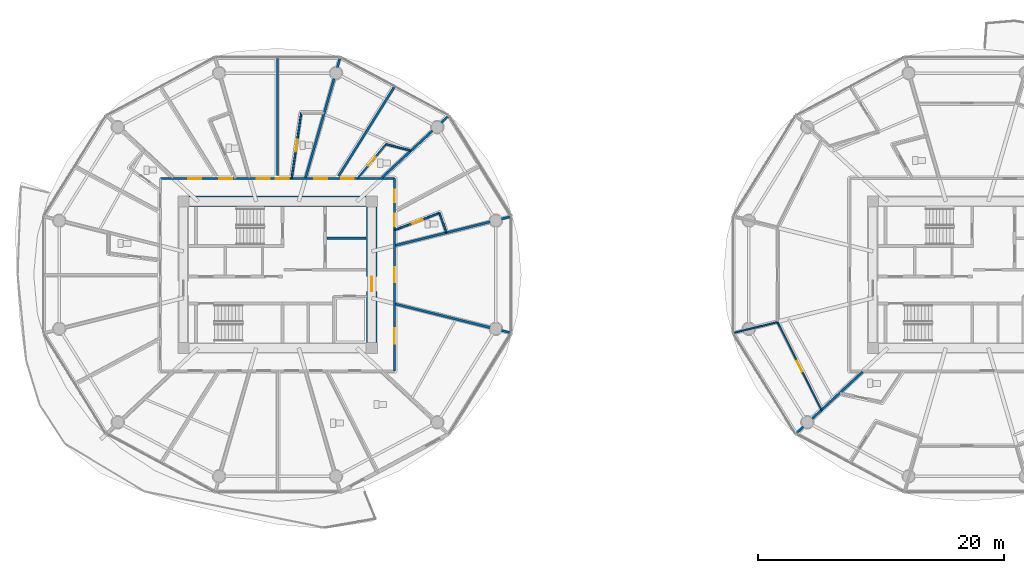
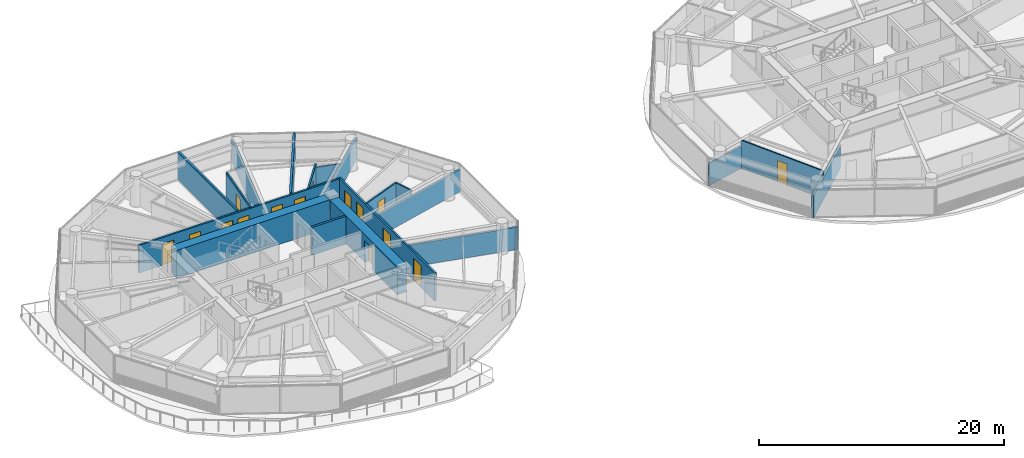
# One storey, part 17 of 31: 19 walls, 15 doors, 15 openings.
"""IFC4 building model written with IfcOpenShell, lengths in metres."""

from ifc_helpers import new_model, si_unit, direction, frame, frame_2d, origin, place, context, subcontext, project, spatial, rectangle, extrude, source, transform, mapped, material, layer, layer_set, type_object, type_shapes, element, fill, save


model = new_model("IFC4")

# Units and contexts
model_context = context("Model", 3, precision=1e-05, world=origin(), true_north=direction((0.0, 1.0)))
body_context = subcontext(model_context, "Body", "Model", "MODEL_VIEW")
ifc_project = project(units=[si_unit("LENGTHUNIT", "METRE"), si_unit("AREAUNIT", "SQUARE_METRE"), si_unit("VOLUMEUNIT", "CUBIC_METRE"), si_unit("PLANEANGLEUNIT", "RADIAN"), si_unit("MASSUNIT", "GRAM", prefix="KILO")], contexts=[model_context])

# Site, building, storey
site_placement = place(None, origin())
site = spatial("IfcSite", under=ifc_project, at=site_placement, CompositionType="ELEMENT")
building_placement = place(site_placement, origin())
building = spatial("IfcBuilding", under=site, at=building_placement, Name="Norrkilde Senior Care Towers", CompositionType="ELEMENT")
storey_placement = place(building_placement, frame((0.0, 0.0, 42.949951171875)))
storey = spatial("IfcBuildingStorey", under=building, at=storey_placement, Name="L12", CompositionType="ELEMENT", Elevation=42.949951171875)

# Wall
ifc_material_1 = material(Name="Concrete C60/75", Category="concrete")
ifc_layer_1 = layer(ifc_material_1, 0.85009765625)
ifc_layer_set_1 = layer_set([ifc_layer_1], Name="Concrete C60/75")
wall_type_1 = type_object("IfcWallType", Name="Core Shear Wall Z1 850", PredefinedType="SHEAR", material=ifc_layer_set_1)
shared_shape_1 = source(origin(), body_context, "Body", "SweptSolid", [
    extrude(rectangle(XDim=14.39990234375, YDim=0.85009765625, at=frame_2d((7.199951171875, 0.0))), origin(), (0.0, 0.0, 1.0), 2.7900390625),
])
wall_1_placement = place(storey_placement, frame((-35.199951171875, 5.949951171875, 0.0), z_axis=(0.0, 0.0, 1.0), x_axis=(1.0, 0.0, 0.0)))
element("IfcWall", 1, at=wall_1_placement, inside=storey, type_object=wall_type_1, Name="L12 Core W North Shear Wall", PredefinedType="SHEAR", context=body_context, shape_type="MappedRepresentation", body=[
    mapped(shared_shape_1, transform((0.0, 0.0, 0.0), x_axis=(1.0, 0.0, 0.0), y_axis=(0.0, 1.0, 0.0), z_axis=(0.0, 0.0, 1.0), scale=1.0)),
])

# Wall, opening, door
shared_shape_2 = source(origin(), body_context, "Body", "SweptSolid", [
    extrude(rectangle(XDim=11.0, YDim=0.85009765625, at=frame_2d((5.5, 0.0))), origin(), (0.0, 0.0, 1.0), 2.7900390625),
])
type_shapes(wall_type_1, [shared_shape_1, shared_shape_2])
wall_2_placement = place(storey_placement, frame((-20.35009765625, 5.5, 0.0), z_axis=(0.0, 0.0, 1.0), x_axis=(0.0, -1.0, 0.0)))
wall_2 = element("IfcWall", 2, at=wall_2_placement, inside=storey, type_object=wall_type_1, Name="L12 Core W East Shear Wall", PredefinedType="SHEAR", context=body_context, shape_type="MappedRepresentation", body=[
    mapped(shared_shape_2, transform((0.0, 0.0, 0.0), x_axis=(1.0, 0.0, 0.0), y_axis=(0.0, 1.0, 0.0), z_axis=(0.0, 0.0, 1.0), scale=1.0)),
])
opening_1_placement = place(wall_2_placement, frame((5.64990234375, 0.0, 0.0)))
opening_1 = element("IfcOpeningElement", 3, at=opening_1_placement, cuts=wall_2, Name="Opening D-04", PredefinedType="OPENING", context=body_context, shape_type="SweptSolid", body=[
    extrude(rectangle(XDim=1.199951171875, YDim=2.14990234375, at=frame_2d((0.60009765625, 1.074951171875))), frame((0.0, 0.43505859375, 0.0), z_axis=(0.0, -1.0, 0.0), x_axis=(1.0, 0.0, 0.0)), (0.0, 0.0, 1.0), 0.8701171875),
])
ifc_material_2 = material(Name="Galvanised Painted Steel", Category="steel")
door_type_1 = type_object("IfcDoorType", Name="Firefighting Lobby Fire Door 1200x2150", OperationType="NOTDEFINED", PredefinedType="DOOR", material=ifc_material_2)
shared_shape_3 = source(origin(), body_context, "Body", "SweptSolid", [
    extrude(rectangle(XDim=1.199951171875, YDim=2.14990234375, at=frame_2d((0.60009765625, 1.074951171875))), frame((0.0, 0.02490234375, 0.0), z_axis=(0.0, -1.0, 0.0), x_axis=(1.0, 0.0, 0.0)), (0.0, 0.0, 1.0), 0.050048828125),
])
type_shapes(door_type_1, [shared_shape_3])
door_1_placement = place(opening_1_placement, frame((1.199951171875, 0.0, 0.0), z_axis=(0.0, 0.0, 1.0), x_axis=(-1.0, 0.0, 0.0)))
door_1 = element("IfcDoor", 4, at=door_1_placement, inside=storey, type_object=door_type_1, Name="L12 Core W East Portal Door", OperationType="SINGLE_SWING_RIGHT", OverallHeight=2.14990234375, OverallWidth=1.199951171875, PredefinedType="DOOR", context=body_context, shape_type="MappedRepresentation", body=[
    mapped(shared_shape_3, transform((0.0, 0.0, 0.0), x_axis=(1.0, 0.0, 0.0), y_axis=(0.0, 1.0, 0.0), z_axis=(0.0, 0.0, 1.0), scale=1.0)),
])
fill(opening_1, door_1)

# Wall
ifc_material_3 = material(Name="Concrete C45/55", Category="concrete")
ifc_layer_2 = layer(ifc_material_3, 0.199951171875)
ifc_layer_set_2 = layer_set([ifc_layer_2], Name="Concrete C45/55")
wall_type_2 = type_object("IfcWallType", Name="Shaft Division and Plant Partition 200", PredefinedType="PARTITIONING", material=ifc_layer_set_2)
shared_shape_4 = source(origin(), body_context, "Body", "SweptSolid", [
    extrude(rectangle(XDim=3.199951171875, YDim=0.199951171875, at=frame_2d((1.60009765625, 0.0))), origin(), (0.0, 0.0, 1.0), 2.775146484375),
])
type_shapes(wall_type_2, [shared_shape_4])
wall_3_placement = place(storey_placement, frame((-24.0, 2.949951171875, 0.0), z_axis=(0.0, 0.0, 1.0), x_axis=(1.0, 0.0, 0.0)))
element("IfcWall", 5, at=wall_3_placement, inside=storey, type_object=wall_type_2, Name="WL-INT-L12-W-FFLDIV", PredefinedType="PARTITIONING", context=body_context, shape_type="MappedRepresentation", body=[
    mapped(shared_shape_4, transform((0.0, 0.0, 0.0), x_axis=(1.0, 0.0, 0.0), y_axis=(0.0, 1.0, 0.0), z_axis=(0.0, 0.0, 1.0), scale=1.0)),
])

# Wall, openings, doors
ifc_material_4 = material(Name="Gypsum Acoustic Board")
ifc_layer_3 = layer(ifc_material_4, 0.1650390625)
ifc_layer_set_3 = layer_set([ifc_layer_3], Name="Gypsum Acoustic Board")
wall_type_3 = type_object("IfcWallType", Name="Corridor Rated Partition 165", PredefinedType="PARTITIONING", material=ifc_layer_set_3)
shared_shape_5 = source(origin(), body_context, "Body", "SweptSolid", [
    extrude(rectangle(XDim=19.0, YDim=0.1650390625, at=frame_2d((9.5, 0.0))), origin(), (0.0, 0.0, 1.0), 2.775146484375),
])
wall_4_placement = place(storey_placement, frame((-37.5, 7.800048828125, 0.0), z_axis=(0.0, 0.0, 1.0), x_axis=(1.0, 0.0, 0.0)))
wall_4 = element("IfcWall", 6, at=wall_4_placement, inside=storey, type_object=wall_type_3, Name="WL-INT-L12-W-CRW-N-0", PredefinedType="PARTITIONING", context=body_context, shape_type="MappedRepresentation", body=[
    mapped(shared_shape_5, transform((0.0, 0.0, 0.0), x_axis=(1.0, 0.0, 0.0), y_axis=(0.0, 1.0, 0.0), z_axis=(0.0, 0.0, 1.0), scale=1.0)),
])
opening_2_placement = place(wall_4_placement, frame((4.77294921875, 0.0, 0.0)))
opening_2 = element("IfcOpeningElement", 7, at=opening_2_placement, cuts=wall_4, Name="Opening D-06", PredefinedType="OPENING", context=body_context, shape_type="SweptSolid", body=[
    extrude(rectangle(XDim=1.050048828125, YDim=2.14990234375, at=frame_2d((0.52490234375, 1.074951171875))), frame((0.0, 0.092529296875, 0.0), z_axis=(0.0, -1.0, 0.0), x_axis=(1.0, 0.0, 0.0)), (0.0, 0.0, 1.0), 0.18505859375),
])
opening_3_placement = place(wall_4_placement, frame((2.251220703125, 0.0, 0.0)))
opening_3 = element("IfcOpeningElement", 8, at=opening_3_placement, cuts=wall_4, Name="Opening D-06", PredefinedType="OPENING", context=body_context, shape_type="SweptSolid", body=[
    extrude(rectangle(XDim=1.050048828125, YDim=2.14990234375, at=frame_2d((0.52490234375, 1.074951171875))), frame((0.0, 0.092529296875, 0.0), z_axis=(0.0, -1.0, 0.0), x_axis=(1.0, 0.0, 0.0)), (0.0, 0.0, 1.0), 0.18505859375),
])
opening_4_placement = place(wall_4_placement, frame((14.6533203125, 0.0, 0.0)))
opening_4 = element("IfcOpeningElement", 9, at=opening_4_placement, cuts=wall_4, Name="Opening D-06", PredefinedType="OPENING", context=body_context, shape_type="SweptSolid", body=[
    extrude(rectangle(XDim=1.050048828125, YDim=2.14990234375, at=frame_2d((0.52490234375, 1.074951171875))), frame((0.0, 0.092529296875, 0.0), z_axis=(0.0, -1.0, 0.0), x_axis=(1.0, 0.0, 0.0)), (0.0, 0.0, 1.0), 0.18505859375),
])
opening_5_placement = place(wall_4_placement, frame((12.499755859375, 0.0, 0.0)))
opening_5 = element("IfcOpeningElement", 10, at=opening_5_placement, cuts=wall_4, Name="Opening D-06", PredefinedType="OPENING", context=body_context, shape_type="SweptSolid", body=[
    extrude(rectangle(XDim=1.050048828125, YDim=2.14990234375, at=frame_2d((0.52490234375, 1.074951171875))), frame((0.0, 0.092529296875, 0.0), z_axis=(0.0, -1.0, 0.0), x_axis=(1.0, 0.0, 0.0)), (0.0, 0.0, 1.0), 0.18505859375),
])
opening_6_placement = place(wall_4_placement, frame((9.351806640625, 0.0, 0.0)))
opening_6 = element("IfcOpeningElement", 11, at=opening_6_placement, cuts=wall_4, Name="Opening D-06", PredefinedType="OPENING", context=body_context, shape_type="SweptSolid", body=[
    extrude(rectangle(XDim=1.050048828125, YDim=2.14990234375, at=frame_2d((0.52490234375, 1.074951171875))), frame((0.0, 0.092529296875, 0.0), z_axis=(0.0, -1.0, 0.0), x_axis=(1.0, 0.0, 0.0)), (0.0, 0.0, 1.0), 0.18505859375),
])
opening_7_placement = place(wall_4_placement, frame((7.806396484375, 0.0, 0.0)))
opening_7 = element("IfcOpeningElement", 12, at=opening_7_placement, cuts=wall_4, Name="Opening D-06", PredefinedType="OPENING", context=body_context, shape_type="SweptSolid", body=[
    extrude(rectangle(XDim=1.050048828125, YDim=2.14990234375, at=frame_2d((0.52490234375, 1.074951171875))), frame((0.0, 0.092529296875, 0.0), z_axis=(0.0, -1.0, 0.0), x_axis=(1.0, 0.0, 0.0)), (0.0, 0.0, 1.0), 0.18505859375),
])
ifc_material_5 = material(Name="Nordic Ash Timber", Category="wood")
door_type_2 = type_object("IfcDoorType", Name="Apartment Entrance Fire Door 1050x2150", OperationType="NOTDEFINED", PredefinedType="DOOR", material=ifc_material_5)
shared_shape_6 = source(origin(), body_context, "Body", "SweptSolid", [
    extrude(rectangle(XDim=1.050048828125, YDim=2.14990234375, at=frame_2d((0.52490234375, 1.074951171875))), frame((0.0, 0.02490234375, 0.0), z_axis=(0.0, -1.0, 0.0), x_axis=(1.0, 0.0, 0.0)), (0.0, 0.0, 1.0), 0.050048828125),
])
type_shapes(door_type_2, [shared_shape_6])
door_2_placement = place(opening_2_placement, frame((1.050048828125, 0.0, 0.0), z_axis=(0.0, 0.0, 1.0), x_axis=(-1.0, 0.0, 0.0)))
door_2 = element("IfcDoor", 13, at=door_2_placement, inside=storey, type_object=door_type_2, Name="L12 Care Suite 1203A Entrance Door", OperationType="SINGLE_SWING_LEFT", OverallHeight=2.14990234375, OverallWidth=1.050048828125, PredefinedType="DOOR", context=body_context, shape_type="MappedRepresentation", body=[
    mapped(shared_shape_6, transform((0.0, 0.0, 0.0), x_axis=(1.0, 0.0, 0.0), y_axis=(0.0, 1.0, 0.0), z_axis=(0.0, 0.0, 1.0), scale=1.0)),
])
fill(opening_2, door_2)
door_3_placement = place(opening_3_placement, frame((1.050048828125, 0.0, 0.0), z_axis=(0.0, 0.0, 1.0), x_axis=(-1.0, 0.0, 0.0)))
door_3 = element("IfcDoor", 14, at=door_3_placement, inside=storey, type_object=door_type_2, Name="L12 Therapy Day Lounge 03 Door", OperationType="SINGLE_SWING_LEFT", OverallHeight=2.14990234375, OverallWidth=1.050048828125, PredefinedType="DOOR", context=body_context, shape_type="MappedRepresentation", body=[
    mapped(shared_shape_6, transform((0.0, 0.0, 0.0), x_axis=(1.0, 0.0, 0.0), y_axis=(0.0, 1.0, 0.0), z_axis=(0.0, 0.0, 1.0), scale=1.0)),
])
fill(opening_3, door_3)
door_4_placement = place(opening_4_placement, frame((1.050048828125, 0.0, 0.0), z_axis=(0.0, 0.0, 1.0), x_axis=(-1.0, 0.0, 0.0)))
door_4 = element("IfcDoor", 15, at=door_4_placement, inside=storey, type_object=door_type_2, Name="L12 Care Suite 1201A Entrance Door", OperationType="SINGLE_SWING_LEFT", OverallHeight=2.14990234375, OverallWidth=1.050048828125, PredefinedType="DOOR", context=body_context, shape_type="MappedRepresentation", body=[
    mapped(shared_shape_6, transform((0.0, 0.0, 0.0), x_axis=(1.0, 0.0, 0.0), y_axis=(0.0, 1.0, 0.0), z_axis=(0.0, 0.0, 1.0), scale=1.0)),
])
fill(opening_4, door_4)
door_5_placement = place(opening_5_placement, frame((1.050048828125, 0.0, 0.0), z_axis=(0.0, 0.0, 1.0), x_axis=(-1.0, 0.0, 0.0)))
door_5 = element("IfcDoor", 16, at=door_5_placement, inside=storey, type_object=door_type_2, Name="L12 Therapy Day Lounge 01 Door", OperationType="SINGLE_SWING_LEFT", OverallHeight=2.14990234375, OverallWidth=1.050048828125, PredefinedType="DOOR", context=body_context, shape_type="MappedRepresentation", body=[
    mapped(shared_shape_6, transform((0.0, 0.0, 0.0), x_axis=(1.0, 0.0, 0.0), y_axis=(0.0, 1.0, 0.0), z_axis=(0.0, 0.0, 1.0), scale=1.0)),
])
fill(opening_5, door_5)
door_6_placement = place(opening_6_placement, frame((1.050048828125, 0.0, 0.0), z_axis=(0.0, 0.0, 1.0), x_axis=(-1.0, 0.0, 0.0)))
door_6 = element("IfcDoor", 17, at=door_6_placement, inside=storey, type_object=door_type_2, Name="L12 Care Suite 1202A Entrance Door", OperationType="SINGLE_SWING_RIGHT", OverallHeight=2.14990234375, OverallWidth=1.050048828125, PredefinedType="DOOR", context=body_context, shape_type="MappedRepresentation", body=[
    mapped(shared_shape_6, transform((0.0, 0.0, 0.0), x_axis=(1.0, 0.0, 0.0), y_axis=(0.0, 1.0, 0.0), z_axis=(0.0, 0.0, 1.0), scale=1.0)),
])
fill(opening_6, door_6)
door_7_placement = place(opening_7_placement, frame((1.050048828125, 0.0, 0.0), z_axis=(0.0, 0.0, 1.0), x_axis=(-1.0, 0.0, 0.0)))
door_7 = element("IfcDoor", 18, at=door_7_placement, inside=storey, type_object=door_type_2, Name="L12 Therapy Day Lounge 02 Door", OperationType="SINGLE_SWING_RIGHT", OverallHeight=2.14990234375, OverallWidth=1.050048828125, PredefinedType="DOOR", context=body_context, shape_type="MappedRepresentation", body=[
    mapped(shared_shape_6, transform((0.0, 0.0, 0.0), x_axis=(1.0, 0.0, 0.0), y_axis=(0.0, 1.0, 0.0), z_axis=(0.0, 0.0, 1.0), scale=1.0)),
])
fill(opening_7, door_7)

shared_shape_7 = source(origin(), body_context, "Body", "SweptSolid", [
    extrude(rectangle(XDim=15.60009765625, YDim=0.1650390625, at=frame_2d((7.800048828125, 0.0))), origin(), (0.0, 0.0, 1.0), 2.775146484375),
])
type_shapes(wall_type_3, [shared_shape_5, shared_shape_7])
wall_5_placement = place(storey_placement, frame((-18.5, 7.800048828125, 0.0), z_axis=(0.0, 0.0, 1.0), x_axis=(0.0, -1.0, 0.0)))
wall_5 = element("IfcWall", 19, at=wall_5_placement, inside=storey, type_object=wall_type_3, Name="WL-INT-L12-W-CRW-E-0", PredefinedType="PARTITIONING", context=body_context, shape_type="MappedRepresentation", body=[
    mapped(shared_shape_7, transform((0.0, 0.0, 0.0), x_axis=(1.0, 0.0, 0.0), y_axis=(0.0, 1.0, 0.0), z_axis=(0.0, 0.0, 1.0), scale=1.0)),
])
opening_8_placement = place(wall_5_placement, frame((12.141357421875, 0.0, 0.0)))
opening_8 = element("IfcOpeningElement", 20, at=opening_8_placement, cuts=wall_5, Name="Opening D-05", PredefinedType="OPENING", context=body_context, shape_type="SweptSolid", body=[
    extrude(rectangle(XDim=1.25, YDim=2.199951171875, at=frame_2d((0.625, 1.10009765625))), frame((0.0, 0.092529296875, 0.0), z_axis=(0.0, -1.0, 0.0), x_axis=(1.0, 0.0, 0.0)), (0.0, 0.0, 1.0), 0.18505859375),
])
opening_9_placement = place(wall_5_placement, frame((7.175048828125, 0.0, 0.0)))
opening_9 = element("IfcOpeningElement", 21, at=opening_9_placement, cuts=wall_5, Name="Opening D-05", PredefinedType="OPENING", context=body_context, shape_type="SweptSolid", body=[
    extrude(rectangle(XDim=1.25, YDim=2.199951171875, at=frame_2d((0.625, 1.10009765625))), frame((0.0, 0.092529296875, 0.0), z_axis=(0.0, -1.0, 0.0), x_axis=(1.0, 0.0, 0.0)), (0.0, 0.0, 1.0), 0.18505859375),
])
opening_10_placement = place(wall_5_placement, frame((2.826416015625, 0.0, 0.0)))
opening_10 = element("IfcOpeningElement", 22, at=opening_10_placement, cuts=wall_5, Name="Opening D-06", PredefinedType="OPENING", context=body_context, shape_type="SweptSolid", body=[
    extrude(rectangle(XDim=1.050048828125, YDim=2.14990234375, at=frame_2d((0.52490234375, 1.074951171875))), frame((0.0, 0.092529296875, 0.0), z_axis=(0.0, -1.0, 0.0), x_axis=(1.0, 0.0, 0.0)), (0.0, 0.0, 1.0), 0.18505859375),
])
opening_11_placement = place(wall_5_placement, frame((0.88134765625, 0.0, 0.0)))
opening_11 = element("IfcOpeningElement", 23, at=opening_11_placement, cuts=wall_5, Name="Opening D-06", PredefinedType="OPENING", context=body_context, shape_type="SweptSolid", body=[
    extrude(rectangle(XDim=1.050048828125, YDim=2.14990234375, at=frame_2d((0.52490234375, 1.074951171875))), frame((0.0, 0.092529296875, 0.0), z_axis=(0.0, -1.0, 0.0), x_axis=(1.0, 0.0, 0.0)), (0.0, 0.0, 1.0), 0.18505859375),
])
door_type_3 = type_object("IfcDoorType", Name="Care Bedroom Bariatric Door 1250x2200", OperationType="NOTDEFINED", PredefinedType="DOOR", material=ifc_material_5)
shared_shape_8 = source(origin(), body_context, "Body", "SweptSolid", [
    extrude(rectangle(XDim=1.25, YDim=2.199951171875, at=frame_2d((0.625, 1.10009765625))), frame((0.0, 0.02490234375, 0.0), z_axis=(0.0, -1.0, 0.0), x_axis=(1.0, 0.0, 0.0)), (0.0, 0.0, 1.0), 0.050048828125),
])
type_shapes(door_type_3, [shared_shape_8])
door_8_placement = place(opening_8_placement, frame((1.25, 0.0, 0.0), z_axis=(0.0, 0.0, 1.0), x_axis=(-1.0, 0.0, 0.0)))
door_8 = element("IfcDoor", 24, at=door_8_placement, inside=storey, type_object=door_type_3, Name="L12 Resident Therapeutic Day Lounge Door", OperationType="SINGLE_SWING_LEFT", OverallHeight=2.199951171875, OverallWidth=1.25, PredefinedType="DOOR", context=body_context, shape_type="MappedRepresentation", body=[
    mapped(shared_shape_8, transform((0.0, 0.0, 0.0), x_axis=(1.0, 0.0, 0.0), y_axis=(0.0, 1.0, 0.0), z_axis=(0.0, 0.0, 1.0), scale=1.0)),
])
fill(opening_8, door_8)
door_9_placement = place(opening_9_placement, frame((1.25, 0.0, 0.0), z_axis=(0.0, 0.0, 1.0), x_axis=(-1.0, 0.0, 0.0)))
door_9 = element("IfcDoor", 25, at=door_9_placement, inside=storey, type_object=door_type_3, Name="L12 Household Therapeutic Kitchen Door", OperationType="SINGLE_SWING_RIGHT", OverallHeight=2.199951171875, OverallWidth=1.25, PredefinedType="DOOR", context=body_context, shape_type="MappedRepresentation", body=[
    mapped(shared_shape_8, transform((0.0, 0.0, 0.0), x_axis=(1.0, 0.0, 0.0), y_axis=(0.0, 1.0, 0.0), z_axis=(0.0, 0.0, 1.0), scale=1.0)),
])
fill(opening_9, door_9)
door_10_placement = place(opening_10_placement, frame((1.050048828125, 0.0, 0.0), z_axis=(0.0, 0.0, 1.0), x_axis=(-1.0, 0.0, 0.0)))
door_10 = element("IfcDoor", 26, at=door_10_placement, inside=storey, type_object=door_type_2, Name="L12 Care Suite 1200A Entrance Door", OperationType="SINGLE_SWING_RIGHT", OverallHeight=2.14990234375, OverallWidth=1.050048828125, PredefinedType="DOOR", context=body_context, shape_type="MappedRepresentation", body=[
    mapped(shared_shape_6, transform((0.0, 0.0, 0.0), x_axis=(1.0, 0.0, 0.0), y_axis=(0.0, 1.0, 0.0), z_axis=(0.0, 0.0, 1.0), scale=1.0)),
])
fill(opening_10, door_10)
door_11_placement = place(opening_11_placement, frame((1.050048828125, 0.0, 0.0), z_axis=(0.0, 0.0, 1.0), x_axis=(-1.0, 0.0, 0.0)))
door_11 = element("IfcDoor", 27, at=door_11_placement, inside=storey, type_object=door_type_2, Name="L12 Therapy Day Lounge 00 Door", OperationType="SINGLE_SWING_RIGHT", OverallHeight=2.14990234375, OverallWidth=1.050048828125, PredefinedType="DOOR", context=body_context, shape_type="MappedRepresentation", body=[
    mapped(shared_shape_6, transform((0.0, 0.0, 0.0), x_axis=(1.0, 0.0, 0.0), y_axis=(0.0, 1.0, 0.0), z_axis=(0.0, 0.0, 1.0), scale=1.0)),
])
fill(opening_11, door_11)

# Walls
ifc_layer_4 = layer(ifc_material_4, 0.18994140625)
ifc_layer_set_4 = layer_set([ifc_layer_4], Name="Gypsum Acoustic Board")
wall_type_4 = type_object("IfcWallType", Name="Unit Demising Acoustic Wall 190", PredefinedType="PARTITIONING", material=ifc_layer_set_4)
shared_shape_9 = source(origin(), body_context, "Body", "SweptSolid", [
    extrude(rectangle(XDim=7.4345703125, YDim=0.18994140625, at=frame_2d((3.71728515625, 0.0))), origin(), (0.0, 0.0, 1.0), 2.22509765625),
])
for number, where, z_axis, x_axis, name in (
    (28, (-19.51708984375, 7.8798828125, 0.0), (0.0, 0.0, 1.0), (0.732651956848, 0.680603489652, 0.0), "WL-INT-L12-W-DEM-01-0"),
    (29, (19.51708984375, -7.8798828125, 0.0), (0.0, 0.0, 1.0), (-0.732651956848, -0.680603489652, 0.0), "WL-INT-L12-E-DEM-07-0"),
):
    element("IfcWall", number, at=place(storey_placement, frame(where, z_axis=z_axis, x_axis=x_axis)), inside=storey, type_object=wall_type_4, Name=name, PredefinedType="PARTITIONING", context=body_context, shape_type="MappedRepresentation", body=[
        mapped(shared_shape_9, transform((0.0, 0.0, 0.0), x_axis=(1.0, 0.0, 0.0), y_axis=(0.0, 1.0, 0.0), z_axis=(0.0, 0.0, 1.0), scale=1.0)),
    ])
shared_shape_10 = source(origin(), body_context, "Body", "SweptSolid", [
    extrude(rectangle(XDim=10.196044921875, YDim=0.18994140625, at=frame_2d((5.09814453125, 0.0))), origin(), (0.0, 0.0, 1.0), 2.22509765625),
])
wall_6_placement = place(storey_placement, frame((-25.72705078125, 7.8798828125, 0.0), z_axis=(0.0, 0.0, 1.0), x_axis=(0.277136420347, 0.960830580549, 0.0)))
element("IfcWall", 30, at=wall_6_placement, inside=storey, type_object=wall_type_4, Name="WL-INT-L12-W-DEM-02-0", PredefinedType="PARTITIONING", context=body_context, shape_type="MappedRepresentation", body=[
    mapped(shared_shape_10, transform((0.0, 0.0, 0.0), x_axis=(1.0, 0.0, 0.0), y_axis=(0.0, 1.0, 0.0), z_axis=(0.0, 0.0, 1.0), scale=1.0)),
])
shared_shape_11 = source(origin(), body_context, "Body", "SweptSolid", [
    extrude(rectangle(XDim=8.59814453125, YDim=0.18994140625, at=frame_2d((4.299072265625, 0.0))), origin(), (0.0, 0.0, 1.0), 2.775146484375),
])
wall_7_placement = place(storey_placement, frame((-23.04296875, 8.017333984375, 0.0), z_axis=(0.0, 0.0, 1.0), x_axis=(0.530039776395, 0.847972779893, 0.0)))
element("IfcWall", 31, at=wall_7_placement, inside=storey, type_object=wall_type_4, Name="WL-INT-L12-W-CMID-01", PredefinedType="PARTITIONING", context=body_context, shape_type="MappedRepresentation", body=[
    mapped(shared_shape_11, transform((0.0, 0.0, 0.0), x_axis=(1.0, 0.0, 0.0), y_axis=(0.0, 1.0, 0.0), z_axis=(0.0, 0.0, 1.0), scale=1.0)),
])

# Wall, opening, door
ifc_layer_5 = layer(ifc_material_4, 0.139892578125)
ifc_layer_set_5 = layer_set([ifc_layer_5], Name="Gypsum Acoustic Board")
wall_type_5 = type_object("IfcWallType", Name="En-suite Wet Room Wall 140", PredefinedType="PARTITIONING", material=ifc_layer_set_5)
shared_shape_12 = source(origin(), body_context, "Body", "SweptSolid", [
    extrude(rectangle(XDim=3.594482421875, YDim=0.139892578125, at=frame_2d((1.79736328125, 0.0))), origin(), (0.0, 0.0, 1.0), 2.775146484375),
])
wall_8_placement = place(storey_placement, frame((-21.49560546875, 7.830078125, 0.0), z_axis=(0.0, 0.0, 1.0), x_axis=(0.639001147083, 0.769205781326, 0.0)))
wall_8 = element("IfcWall", 32, at=wall_8_placement, inside=storey, type_object=wall_type_5, Name="WL-INT-L12-W-ES-01A", PredefinedType="PARTITIONING", context=body_context, shape_type="MappedRepresentation", body=[
    mapped(shared_shape_12, transform((0.0, 0.0, 0.0), x_axis=(1.0, 0.0, 0.0), y_axis=(0.0, 1.0, 0.0), z_axis=(0.0, 0.0, 1.0), scale=1.0)),
])
opening_12_placement = place(wall_8_placement, frame((1.33740234375, 0.0, 0.0)))
opening_12 = element("IfcOpeningElement", 33, at=opening_12_placement, cuts=wall_8, Name="Opening D-08", PredefinedType="OPENING", context=body_context, shape_type="SweptSolid", body=[
    extrude(rectangle(XDim=0.919921875, YDim=2.10009765625, at=frame_2d((0.4599609375, 1.050048828125))), frame((0.0, 0.079833984375, 0.0), z_axis=(0.0, -1.0, 0.0), x_axis=(1.0, 0.0, 0.0)), (0.0, 0.0, 1.0), 0.159912109375),
])
door_type_4 = type_object("IfcDoorType", Name="Accessible Wet Room Door 920x2100", OperationType="NOTDEFINED", PredefinedType="DOOR", material=ifc_material_5)
shared_shape_13 = source(origin(), body_context, "Body", "SweptSolid", [
    extrude(rectangle(XDim=0.919921875, YDim=2.10009765625, at=frame_2d((0.4599609375, 1.050048828125))), frame((0.0, 0.02490234375, 0.0), z_axis=(0.0, -1.0, 0.0), x_axis=(1.0, 0.0, 0.0)), (0.0, 0.0, 1.0), 0.050048828125),
])
type_shapes(door_type_4, [shared_shape_13])
door_12_placement = place(opening_12_placement, origin())
door_12 = element("IfcDoor", 34, at=door_12_placement, inside=storey, type_object=door_type_4, Name="L12 Care Suite 1201A Bathroom Door", OperationType="SINGLE_SWING_RIGHT", OverallHeight=2.10009765625, OverallWidth=0.919921875, PredefinedType="DOOR", context=body_context, shape_type="MappedRepresentation", body=[
    mapped(shared_shape_13, transform((0.0, 0.0, 0.0), x_axis=(1.0, 0.0, 0.0), y_axis=(0.0, 1.0, 0.0), z_axis=(0.0, 0.0, 1.0), scale=1.0)),
])
fill(opening_12, door_12)

# Walls
shared_shape_14 = source(origin(), body_context, "Body", "SweptSolid", [
    extrude(rectangle(XDim=2.06201171875, YDim=0.139892578125, at=frame_2d((1.031005859375, 0.0))), origin(), (0.0, 0.0, 1.0), 2.4150390625),
])
wall_9_placement = place(storey_placement, frame((-19.19873046875, 10.594970703125, 0.0), z_axis=(0.0, 0.0, 1.0), x_axis=(0.968776253543, -0.247936626121, 0.0)))
element("IfcWall", 35, at=wall_9_placement, inside=storey, type_object=wall_type_5, Name="WL-INT-L12-W-EF-01A", PredefinedType="PARTITIONING", context=body_context, shape_type="MappedRepresentation", body=[
    mapped(shared_shape_14, transform((0.0, 0.0, 0.0), x_axis=(1.0, 0.0, 0.0), y_axis=(0.0, 1.0, 0.0), z_axis=(0.0, 0.0, 1.0), scale=1.0)),
])
shared_shape_15 = source(origin(), body_context, "Body", "SweptSolid", [
    extrude(rectangle(XDim=9.737060546875, YDim=0.18994140625, at=frame_2d((4.86865234375, 0.0))), origin(), (0.0, 0.0, 1.0), 2.22509765625),
])
for number, where, z_axis, x_axis, name in (
    (36, (-18.419921875, -2.384521484375, 0.0), (0.0, 0.0, 1.0), (0.970392716238, -0.241532557375, 0.0), "WL-INT-L12-W-DEM-11-0"),
    (37, (-18.419921875, 2.384521484375, 0.0), (0.0, 0.0, 1.0), (0.970392716238, 0.241532557375, 0.0), "WL-INT-L12-W-DEM-00-0"),
):
    element("IfcWall", number, at=place(storey_placement, frame(where, z_axis=z_axis, x_axis=x_axis)), inside=storey, type_object=wall_type_4, Name=name, PredefinedType="PARTITIONING", context=body_context, shape_type="MappedRepresentation", body=[
        mapped(shared_shape_15, transform((0.0, 0.0, 0.0), x_axis=(1.0, 0.0, 0.0), y_axis=(0.0, 1.0, 0.0), z_axis=(0.0, 0.0, 1.0), scale=1.0)),
    ])

# Wall, opening, door
shared_shape_16 = source(origin(), body_context, "Body", "SweptSolid", [
    extrude(rectangle(XDim=3.8740234375, YDim=0.139892578125, at=frame_2d((1.93701171875, 0.0))), origin(), (0.0, 0.0, 1.0), 2.775146484375),
])
wall_10_placement = place(storey_placement, frame((-18.469970703125, 3.631591796875, 0.0), z_axis=(0.0, 0.0, 1.0), x_axis=(0.934461775659, 0.35606346321, 0.0)))
wall_10 = element("IfcWall", 38, at=wall_10_placement, inside=storey, type_object=wall_type_5, Name="WL-INT-L12-W-ES-00A", PredefinedType="PARTITIONING", context=body_context, shape_type="MappedRepresentation", body=[
    mapped(shared_shape_16, transform((0.0, 0.0, 0.0), x_axis=(1.0, 0.0, 0.0), y_axis=(0.0, 1.0, 0.0), z_axis=(0.0, 0.0, 1.0), scale=1.0)),
])
opening_13_placement = place(wall_10_placement, frame((1.47705078125, 0.0, 0.0)))
opening_13 = element("IfcOpeningElement", 39, at=opening_13_placement, cuts=wall_10, Name="Opening D-08", PredefinedType="OPENING", context=body_context, shape_type="SweptSolid", body=[
    extrude(rectangle(XDim=0.919921875, YDim=2.10009765625, at=frame_2d((0.4599609375, 1.050048828125))), frame((0.0, 0.079833984375, 0.0), z_axis=(0.0, -1.0, 0.0), x_axis=(1.0, 0.0, 0.0)), (0.0, 0.0, 1.0), 0.159912109375),
])
door_13_placement = place(opening_13_placement, origin())
door_13 = element("IfcDoor", 40, at=door_13_placement, inside=storey, type_object=door_type_4, Name="L12 Care Suite 1200A Bathroom Door", OperationType="SINGLE_SWING_LEFT", OverallHeight=2.10009765625, OverallWidth=0.919921875, PredefinedType="DOOR", context=body_context, shape_type="MappedRepresentation", body=[
    mapped(shared_shape_13, transform((0.0, 0.0, 0.0), x_axis=(1.0, 0.0, 0.0), y_axis=(0.0, 1.0, 0.0), z_axis=(0.0, 0.0, 1.0), scale=1.0)),
])
fill(opening_13, door_13)

# Wall
shared_shape_17 = source(origin(), body_context, "Body", "SweptSolid", [
    extrude(rectangle(XDim=1.67578125, YDim=0.139892578125, at=frame_2d((0.837890625, 0.0))), origin(), (0.0, 0.0, 1.0), 2.775146484375),
])
wall_11_placement = place(storey_placement, frame((-14.849853515625, 5.010986328125, 0.0), z_axis=(0.0, 0.0, 1.0), x_axis=(0.327785970556, -0.944752008469, 0.0)))
element("IfcWall", 41, at=wall_11_placement, inside=storey, type_object=wall_type_5, Name="WL-INT-L12-W-EF-00A", PredefinedType="PARTITIONING", context=body_context, shape_type="MappedRepresentation", body=[
    mapped(shared_shape_17, transform((0.0, 0.0, 0.0), x_axis=(1.0, 0.0, 0.0), y_axis=(0.0, 1.0, 0.0), z_axis=(0.0, 0.0, 1.0), scale=1.0)),
])

# Wall, opening, door
ifc_layer_6 = layer(ifc_material_4, 0.114990234375)
ifc_layer_set_6 = layer_set([ifc_layer_6], Name="Gypsum Acoustic Board")
wall_type_6 = type_object("IfcWallType", Name="Internal Room Partition 115", PredefinedType="PARTITIONING", material=ifc_layer_set_6)
shared_shape_18 = source(origin(), body_context, "Body", "SweptSolid", [
    extrude(rectangle(XDim=8.017822265625, YDim=0.114990234375, at=frame_2d((4.0087890625, 0.0))), origin(), (0.0, 0.0, 1.0), 2.775146484375),
])
wall_12_placement = place(storey_placement, frame((12.595947265625, -3.854248046875, 0.0), z_axis=(0.0, 0.0, 1.0), x_axis=(0.450134355233, -0.89296084026, 0.0)))
wall_12 = element("IfcWall", 42, at=wall_12_placement, inside=storey, type_object=wall_type_6, Name="WL-INT-L12-E-UBC-03-3", PredefinedType="PARTITIONING", context=body_context, shape_type="MappedRepresentation", body=[
    mapped(shared_shape_18, transform((0.0, 0.0, 0.0), x_axis=(1.0, 0.0, 0.0), y_axis=(0.0, 1.0, 0.0), z_axis=(0.0, 0.0, 1.0), scale=1.0)),
])
opening_14_placement = place(wall_12_placement, frame((3.533935546875, 0.0, 0.0)))
opening_14 = element("IfcOpeningElement", 43, at=opening_14_placement, cuts=wall_12, Name="Opening D-07", PredefinedType="OPENING", context=body_context, shape_type="SweptSolid", body=[
    extrude(rectangle(XDim=0.949951171875, YDim=2.10009765625, at=frame_2d((0.47509765625, 1.050048828125))), frame((0.0, 0.0673828125, 0.0), z_axis=(0.0, -1.0, 0.0), x_axis=(1.0, 0.0, 0.0)), (0.0, 0.0, 1.0), 0.135009765625),
])
door_type_5 = type_object("IfcDoorType", Name="Internal Suite Bedroom Door 950x2100", OperationType="NOTDEFINED", PredefinedType="DOOR", material=ifc_material_5)
shared_shape_19 = source(origin(), body_context, "Body", "SweptSolid", [
    extrude(rectangle(XDim=0.949951171875, YDim=2.10009765625, at=frame_2d((0.47509765625, 1.050048828125))), frame((0.0, 0.02490234375, 0.0), z_axis=(0.0, -1.0, 0.0), x_axis=(1.0, 0.0, 0.0)), (0.0, 0.0, 1.0), 0.050048828125),
])
type_shapes(door_type_5, [shared_shape_19])
door_14_placement = place(opening_14_placement, origin())
door_14 = element("IfcDoor", 44, at=door_14_placement, inside=storey, type_object=door_type_5, Name="Apartment 12A Bedroom 3 Door", OperationType="SINGLE_SWING_LEFT", OverallHeight=2.10009765625, OverallWidth=0.949951171875, PredefinedType="DOOR", context=body_context, shape_type="MappedRepresentation", body=[
    mapped(shared_shape_19, transform((0.0, 0.0, 0.0), x_axis=(1.0, 0.0, 0.0), y_axis=(0.0, 1.0, 0.0), z_axis=(0.0, 0.0, 1.0), scale=1.0)),
])
fill(opening_14, door_14)

# Walls
shared_shape_20 = source(origin(), body_context, "Body", "SweptSolid", [
    extrude(rectangle(XDim=3.73046875, YDim=0.114990234375, at=frame_2d((1.865234375, 0.0))), origin(), (0.0, 0.0, 1.0), 2.22509765625),
])
type_shapes(wall_type_6, [shared_shape_18, shared_shape_20])
wall_13_placement = place(storey_placement, frame((12.595947265625, -3.854248046875, 0.0), z_axis=(0.0, 0.0, 1.0), x_axis=(-0.971644038568, -0.236448434791, 0.0)))
element("IfcWall", 45, at=wall_13_placement, inside=storey, type_object=wall_type_6, Name="WL-INT-L12-E-UBR-03-3", PredefinedType="PARTITIONING", context=body_context, shape_type="MappedRepresentation", body=[
    mapped(shared_shape_20, transform((0.0, 0.0, 0.0), x_axis=(1.0, 0.0, 0.0), y_axis=(0.0, 1.0, 0.0), z_axis=(0.0, 0.0, 1.0), scale=1.0)),
])
shared_shape_21 = source(origin(), body_context, "Body", "SweptSolid", [
    extrude(rectangle(XDim=9.6005859375, YDim=0.18994140625, at=frame_2d((4.80029296875, 0.0))), origin(), (0.0, 0.0, 1.0), 2.775146484375),
])
type_shapes(wall_type_4, [shared_shape_9, shared_shape_10, shared_shape_11, shared_shape_15, shared_shape_21])
wall_14_placement = place(storey_placement, frame((-28.0, 8.075927734375, 0.0), z_axis=(0.0, 0.0, 1.0), x_axis=(0.0, 1.0, 0.0)))
element("IfcWall", 46, at=wall_14_placement, inside=storey, type_object=wall_type_4, Name="WL-INT-L12-W-CMID-02", PredefinedType="PARTITIONING", context=body_context, shape_type="MappedRepresentation", body=[
    mapped(shared_shape_21, transform((0.0, 0.0, 0.0), x_axis=(1.0, 0.0, 0.0), y_axis=(0.0, 1.0, 0.0), z_axis=(0.0, 0.0, 1.0), scale=1.0)),
])

# Wall, opening, door
shared_shape_22 = source(origin(), body_context, "Body", "SweptSolid", [
    extrude(rectangle(XDim=5.36962890625, YDim=0.139892578125, at=frame_2d((2.684814453125, 0.0))), origin(), (0.0, 0.0, 1.0), 2.775146484375),
])
type_shapes(wall_type_5, [shared_shape_12, shared_shape_14, shared_shape_16, shared_shape_17, shared_shape_22])
wall_15_placement = place(storey_placement, frame((-26.851318359375, 7.830078125, 0.0), z_axis=(0.0, 0.0, 1.0), x_axis=(0.145131397853, 0.989412389935, 0.0)))
wall_15 = element("IfcWall", 47, at=wall_15_placement, inside=storey, type_object=wall_type_5, Name="WL-INT-L12-W-ES-02A", PredefinedType="PARTITIONING", context=body_context, shape_type="MappedRepresentation", body=[
    mapped(shared_shape_22, transform((0.0, 0.0, 0.0), x_axis=(1.0, 0.0, 0.0), y_axis=(0.0, 1.0, 0.0), z_axis=(0.0, 0.0, 1.0), scale=1.0)),
])
opening_15_placement = place(wall_15_placement, frame((2.224853515625, 0.0, 0.0)))
opening_15 = element("IfcOpeningElement", 48, at=opening_15_placement, cuts=wall_15, Name="Opening D-08", PredefinedType="OPENING", context=body_context, shape_type="SweptSolid", body=[
    extrude(rectangle(XDim=0.919921875, YDim=2.10009765625, at=frame_2d((0.4599609375, 1.050048828125))), frame((0.0, 0.079833984375, 0.0), z_axis=(0.0, -1.0, 0.0), x_axis=(1.0, 0.0, 0.0)), (0.0, 0.0, 1.0), 0.159912109375),
])
door_15_placement = place(opening_15_placement, origin())
door_15 = element("IfcDoor", 49, at=door_15_placement, inside=storey, type_object=door_type_4, Name="L12 Care Suite 1202A Bathroom Door", OperationType="SINGLE_SWING_LEFT", OverallHeight=2.10009765625, OverallWidth=0.919921875, PredefinedType="DOOR", context=body_context, shape_type="MappedRepresentation", body=[
    mapped(shared_shape_13, transform((0.0, 0.0, 0.0), x_axis=(1.0, 0.0, 0.0), y_axis=(0.0, 1.0, 0.0), z_axis=(0.0, 0.0, 1.0), scale=1.0)),
])
fill(opening_15, door_15)

save(model, "model.ifc")
